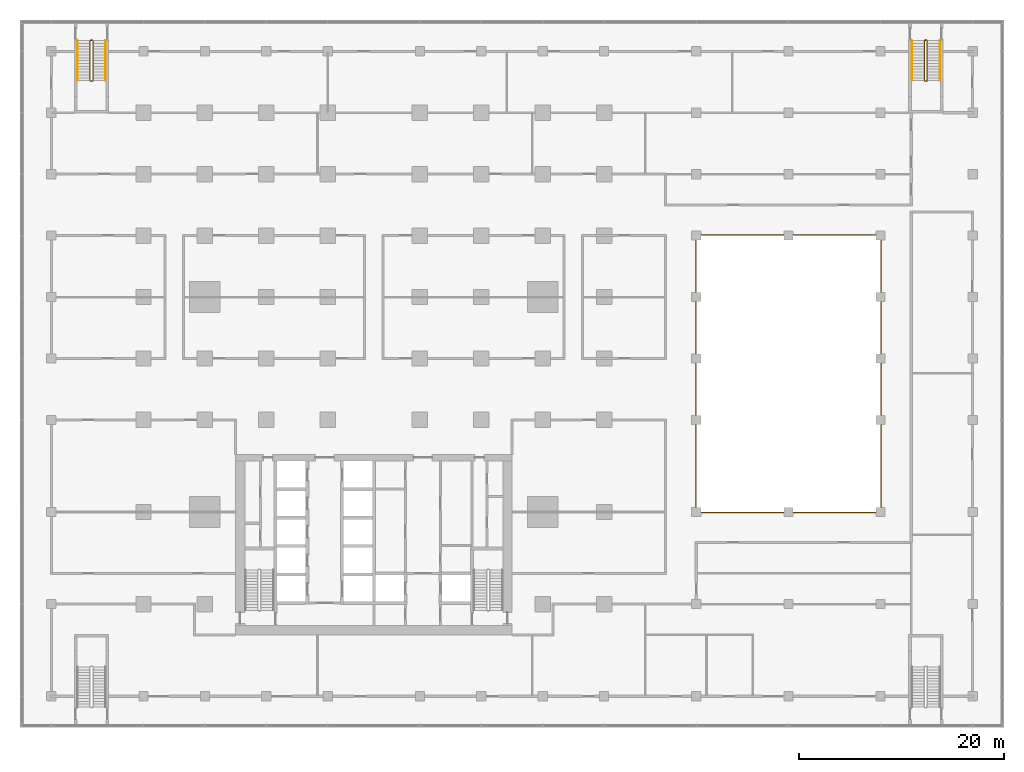
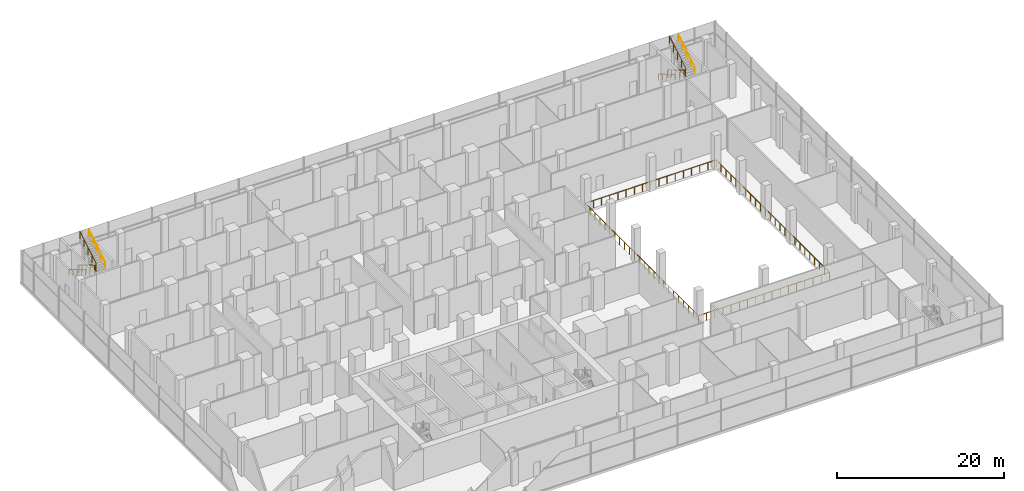
# One storey, part 22 of 22: 7 railings.
"""IFC4 building model written with IfcOpenShell, lengths in metres."""

from ifc_helpers import new_model, si_unit, direction, frame, origin, origin_2d, place, context, subcontext, project, spatial, circle, extrude, material, type_object, element, save


model = new_model("IFC4")

# Units and contexts
model_context = context("Model", 3, precision=1e-05, world=origin(), true_north=direction((0.0, 1.0)))
body_context = subcontext(model_context, "Body", "Model", "MODEL_VIEW")
ifc_project = project(units=[si_unit("LENGTHUNIT", "METRE"), si_unit("AREAUNIT", "SQUARE_METRE"), si_unit("VOLUMEUNIT", "CUBIC_METRE"), si_unit("PLANEANGLEUNIT", "RADIAN"), si_unit("MASSUNIT", "GRAM", prefix="KILO")], contexts=[model_context])

# Site, building, storey
site_placement = place(None, origin())
site = spatial("IfcSite", under=ifc_project, at=site_placement, CompositionType="ELEMENT")
building_placement = place(site_placement, origin())
building = spatial("IfcBuilding", under=site, at=building_placement, Name="Finial Court Residences", CompositionType="ELEMENT")
storey_placement = place(building_placement, frame((0.0, 0.0, 13.5)))
storey = spatial("IfcBuildingStorey", under=building, at=storey_placement, Name="L02", CompositionType="ELEMENT", Elevation=13.5)

# Railings
ifc_material_1 = material(Name="Bronze anodised aluminium", Category="aluminium")
railing_type_1 = type_object("IfcRailingType", Name="Atrium gallery guard 1100", PredefinedType="GUARDRAIL", material=ifc_material_1)
railing_1_placement = place(storey_placement, frame((31.449951171875, -13.550048828125, 0.0)))
element("IfcRailing", 1, at=railing_1_placement, inside=storey, type_object=railing_type_1, Name="L02 atrium gallery guard", PredefinedType="GUARDRAIL", context=body_context, shape_type="SweptSolid", body=[
    extrude(circle(Radius=0.02392578125, at=origin_2d()), frame((0.0, 0.0, 1.076171875), z_axis=(1.0, 0.0, 0.0), x_axis=(0.0, 1.0, 0.0)), (0.0, 0.0, 1.0), 18.10009765625),
    extrude(circle(Radius=0.02392578125, at=origin_2d()), frame((18.10009765625, 0.0, 1.076171875), z_axis=(0.0, 1.0, 0.0), x_axis=(-1.0, 0.0, 0.0)), (0.0, 0.0, 1.0), 27.10009765625),
    extrude(circle(Radius=0.02392578125, at=origin_2d()), frame((18.10009765625, 27.10009765625, 1.076171875), z_axis=(-1.0, 0.0, 0.0), x_axis=(0.0, -1.0, 0.0)), (0.0, 0.0, 1.0), 18.10009765625),
    extrude(circle(Radius=0.02392578125, at=origin_2d()), frame((0.0, 27.10009765625, 1.076171875), z_axis=(0.0, -1.0, 0.0), x_axis=(1.0, 0.0, 0.0)), (0.0, 0.0, 1.0), 27.0400390625),
    extrude(circle(Radius=0.02099609375, at=origin_2d()), origin(), (0.0, 0.0, 1.0), 1.052001953125),
    extrude(circle(Radius=0.02099609375, at=origin_2d()), frame((1.13134765625, 0.0, 0.0)), (0.0, 0.0, 1.0), 1.052001953125),
    extrude(circle(Radius=0.02099609375, at=origin_2d()), frame((2.262451171875, 0.0, 0.0)), (0.0, 0.0, 1.0), 1.052001953125),
    extrude(circle(Radius=0.02099609375, at=origin_2d()), frame((3.393798828125, 0.0, 0.0)), (0.0, 0.0, 1.0), 1.052001953125),
    extrude(circle(Radius=0.02099609375, at=origin_2d()), frame((4.52490234375, 0.0, 0.0)), (0.0, 0.0, 1.0), 1.052001953125),
    extrude(circle(Radius=0.02099609375, at=origin_2d()), frame((5.65625, 0.0, 0.0)), (0.0, 0.0, 1.0), 1.052001953125),
    extrude(circle(Radius=0.02099609375, at=origin_2d()), frame((6.78759765625, 0.0, 0.0)), (0.0, 0.0, 1.0), 1.052001953125),
    extrude(circle(Radius=0.02099609375, at=origin_2d()), frame((7.918701171875, 0.0, 0.0)), (0.0, 0.0, 1.0), 1.052001953125),
    extrude(circle(Radius=0.02099609375, at=origin_2d()), frame((9.050048828125, 0.0, 0.0)), (0.0, 0.0, 1.0), 1.052001953125),
    extrude(circle(Radius=0.02099609375, at=origin_2d()), frame((10.181396484375, 0.0, 0.0)), (0.0, 0.0, 1.0), 1.052001953125),
    extrude(circle(Radius=0.02099609375, at=origin_2d()), frame((11.3125, 0.0, 0.0)), (0.0, 0.0, 1.0), 1.052001953125),
    extrude(circle(Radius=0.02099609375, at=origin_2d()), frame((12.44384765625, 0.0, 0.0)), (0.0, 0.0, 1.0), 1.052001953125),
    extrude(circle(Radius=0.02099609375, at=origin_2d()), frame((13.5751953125, 0.0, 0.0)), (0.0, 0.0, 1.0), 1.052001953125),
    extrude(circle(Radius=0.02099609375, at=origin_2d()), frame((14.706298828125, 0.0, 0.0)), (0.0, 0.0, 1.0), 1.052001953125),
    extrude(circle(Radius=0.02099609375, at=origin_2d()), frame((15.837646484375, 0.0, 0.0)), (0.0, 0.0, 1.0), 1.052001953125),
    extrude(circle(Radius=0.02099609375, at=origin_2d()), frame((16.96875, 0.0, 0.0)), (0.0, 0.0, 1.0), 1.052001953125),
    extrude(circle(Radius=0.02099609375, at=origin_2d()), frame((18.10009765625, 0.0, 0.0)), (0.0, 0.0, 1.0), 1.052001953125),
    extrude(circle(Radius=0.02099609375, at=origin_2d()), frame((18.10009765625, 1.17822265625, 0.0)), (0.0, 0.0, 1.0), 1.052001953125),
    extrude(circle(Radius=0.02099609375, at=origin_2d()), frame((18.10009765625, 2.3564453125, 0.0)), (0.0, 0.0, 1.0), 1.052001953125),
    extrude(circle(Radius=0.02099609375, at=origin_2d()), frame((18.10009765625, 3.534912109375, 0.0)), (0.0, 0.0, 1.0), 1.052001953125),
    extrude(circle(Radius=0.02099609375, at=origin_2d()), frame((18.10009765625, 4.713134765625, 0.0)), (0.0, 0.0, 1.0), 1.052001953125),
    extrude(circle(Radius=0.02099609375, at=origin_2d()), frame((18.10009765625, 5.891357421875, 0.0)), (0.0, 0.0, 1.0), 1.052001953125),
    extrude(circle(Radius=0.02099609375, at=origin_2d()), frame((18.10009765625, 7.069580078125, 0.0)), (0.0, 0.0, 1.0), 1.052001953125),
    extrude(circle(Radius=0.02099609375, at=origin_2d()), frame((18.10009765625, 8.247802734375, 0.0)), (0.0, 0.0, 1.0), 1.052001953125),
    extrude(circle(Radius=0.02099609375, at=origin_2d()), frame((18.10009765625, 9.426025390625, 0.0)), (0.0, 0.0, 1.0), 1.052001953125),
    extrude(circle(Radius=0.02099609375, at=origin_2d()), frame((18.10009765625, 10.6044921875, 0.0)), (0.0, 0.0, 1.0), 1.052001953125),
    extrude(circle(Radius=0.02099609375, at=origin_2d()), frame((18.10009765625, 11.78271484375, 0.0)), (0.0, 0.0, 1.0), 1.052001953125),
    extrude(circle(Radius=0.02099609375, at=origin_2d()), frame((18.10009765625, 12.9609375, 0.0)), (0.0, 0.0, 1.0), 1.052001953125),
    extrude(circle(Radius=0.02099609375, at=origin_2d()), frame((18.10009765625, 14.13916015625, 0.0)), (0.0, 0.0, 1.0), 1.052001953125),
    extrude(circle(Radius=0.02099609375, at=origin_2d()), frame((18.10009765625, 15.3173828125, 0.0)), (0.0, 0.0, 1.0), 1.052001953125),
    extrude(circle(Radius=0.02099609375, at=origin_2d()), frame((18.10009765625, 16.49560546875, 0.0)), (0.0, 0.0, 1.0), 1.052001953125),
    extrude(circle(Radius=0.02099609375, at=origin_2d()), frame((18.10009765625, 17.674072265625, 0.0)), (0.0, 0.0, 1.0), 1.052001953125),
    extrude(circle(Radius=0.02099609375, at=origin_2d()), frame((18.10009765625, 18.852294921875, 0.0)), (0.0, 0.0, 1.0), 1.052001953125),
    extrude(circle(Radius=0.02099609375, at=origin_2d()), frame((18.10009765625, 20.030517578125, 0.0)), (0.0, 0.0, 1.0), 1.052001953125),
    extrude(circle(Radius=0.02099609375, at=origin_2d()), frame((18.10009765625, 21.208740234375, 0.0)), (0.0, 0.0, 1.0), 1.052001953125),
    extrude(circle(Radius=0.02099609375, at=origin_2d()), frame((18.10009765625, 22.386962890625, 0.0)), (0.0, 0.0, 1.0), 1.052001953125),
    extrude(circle(Radius=0.02099609375, at=origin_2d()), frame((18.10009765625, 23.565185546875, 0.0)), (0.0, 0.0, 1.0), 1.052001953125),
    extrude(circle(Radius=0.02099609375, at=origin_2d()), frame((18.10009765625, 24.74365234375, 0.0)), (0.0, 0.0, 1.0), 1.052001953125),
    extrude(circle(Radius=0.02099609375, at=origin_2d()), frame((18.10009765625, 25.921875, 0.0)), (0.0, 0.0, 1.0), 1.052001953125),
    extrude(circle(Radius=0.02099609375, at=origin_2d()), frame((18.10009765625, 27.10009765625, 0.0)), (0.0, 0.0, 1.0), 1.052001953125),
    extrude(circle(Radius=0.02099609375, at=origin_2d()), frame((16.96875, 27.10009765625, 0.0)), (0.0, 0.0, 1.0), 1.052001953125),
    extrude(circle(Radius=0.02099609375, at=origin_2d()), frame((15.837646484375, 27.10009765625, 0.0)), (0.0, 0.0, 1.0), 1.052001953125),
    extrude(circle(Radius=0.02099609375, at=origin_2d()), frame((14.706298828125, 27.10009765625, 0.0)), (0.0, 0.0, 1.0), 1.052001953125),
    extrude(circle(Radius=0.02099609375, at=origin_2d()), frame((13.5751953125, 27.10009765625, 0.0)), (0.0, 0.0, 1.0), 1.052001953125),
    extrude(circle(Radius=0.02099609375, at=origin_2d()), frame((12.44384765625, 27.10009765625, 0.0)), (0.0, 0.0, 1.0), 1.052001953125),
    extrude(circle(Radius=0.02099609375, at=origin_2d()), frame((11.3125, 27.10009765625, 0.0)), (0.0, 0.0, 1.0), 1.052001953125),
    extrude(circle(Radius=0.02099609375, at=origin_2d()), frame((10.181396484375, 27.10009765625, 0.0)), (0.0, 0.0, 1.0), 1.052001953125),
    extrude(circle(Radius=0.02099609375, at=origin_2d()), frame((9.050048828125, 27.10009765625, 0.0)), (0.0, 0.0, 1.0), 1.052001953125),
    extrude(circle(Radius=0.02099609375, at=origin_2d()), frame((7.918701171875, 27.10009765625, 0.0)), (0.0, 0.0, 1.0), 1.052001953125),
    extrude(circle(Radius=0.02099609375, at=origin_2d()), frame((6.78759765625, 27.10009765625, 0.0)), (0.0, 0.0, 1.0), 1.052001953125),
    extrude(circle(Radius=0.02099609375, at=origin_2d()), frame((5.65625, 27.10009765625, 0.0)), (0.0, 0.0, 1.0), 1.052001953125),
    extrude(circle(Radius=0.02099609375, at=origin_2d()), frame((4.52490234375, 27.10009765625, 0.0)), (0.0, 0.0, 1.0), 1.052001953125),
    extrude(circle(Radius=0.02099609375, at=origin_2d()), frame((3.393798828125, 27.10009765625, 0.0)), (0.0, 0.0, 1.0), 1.052001953125),
    extrude(circle(Radius=0.02099609375, at=origin_2d()), frame((2.262451171875, 27.10009765625, 0.0)), (0.0, 0.0, 1.0), 1.052001953125),
    extrude(circle(Radius=0.02099609375, at=origin_2d()), frame((1.13134765625, 27.10009765625, 0.0)), (0.0, 0.0, 1.0), 1.052001953125),
    extrude(circle(Radius=0.02099609375, at=origin_2d()), frame((0.0, 27.10009765625, 0.0)), (0.0, 0.0, 1.0), 1.052001953125),
    extrude(circle(Radius=0.02099609375, at=origin_2d()), frame((0.0, 25.924560546875, 0.0)), (0.0, 0.0, 1.0), 1.052001953125),
    extrude(circle(Radius=0.02099609375, at=origin_2d()), frame((0.0, 24.748779296875, 0.0)), (0.0, 0.0, 1.0), 1.052001953125),
    extrude(circle(Radius=0.02099609375, at=origin_2d()), frame((0.0, 23.5732421875, 0.0)), (0.0, 0.0, 1.0), 1.052001953125),
    extrude(circle(Radius=0.02099609375, at=origin_2d()), frame((0.0, 22.3974609375, 0.0)), (0.0, 0.0, 1.0), 1.052001953125),
    extrude(circle(Radius=0.02099609375, at=origin_2d()), frame((0.0, 21.221923828125, 0.0)), (0.0, 0.0, 1.0), 1.052001953125),
    extrude(circle(Radius=0.02099609375, at=origin_2d()), frame((0.0, 20.046142578125, 0.0)), (0.0, 0.0, 1.0), 1.052001953125),
    extrude(circle(Radius=0.02099609375, at=origin_2d()), frame((0.0, 18.87060546875, 0.0)), (0.0, 0.0, 1.0), 1.052001953125),
    extrude(circle(Radius=0.02099609375, at=origin_2d()), frame((0.0, 17.69482421875, 0.0)), (0.0, 0.0, 1.0), 1.052001953125),
    extrude(circle(Radius=0.02099609375, at=origin_2d()), frame((0.0, 16.519287109375, 0.0)), (0.0, 0.0, 1.0), 1.052001953125),
    extrude(circle(Radius=0.02099609375, at=origin_2d()), frame((0.0, 15.343505859375, 0.0)), (0.0, 0.0, 1.0), 1.052001953125),
    extrude(circle(Radius=0.02099609375, at=origin_2d()), frame((0.0, 14.16796875, 0.0)), (0.0, 0.0, 1.0), 1.052001953125),
    extrude(circle(Radius=0.02099609375, at=origin_2d()), frame((0.0, 12.9921875, 0.0)), (0.0, 0.0, 1.0), 1.052001953125),
    extrude(circle(Radius=0.02099609375, at=origin_2d()), frame((0.0, 11.816650390625, 0.0)), (0.0, 0.0, 1.0), 1.052001953125),
    extrude(circle(Radius=0.02099609375, at=origin_2d()), frame((0.0, 10.640869140625, 0.0)), (0.0, 0.0, 1.0), 1.052001953125),
    extrude(circle(Radius=0.02099609375, at=origin_2d()), frame((0.0, 9.46533203125, 0.0)), (0.0, 0.0, 1.0), 1.052001953125),
    extrude(circle(Radius=0.02099609375, at=origin_2d()), frame((0.0, 8.28955078125, 0.0)), (0.0, 0.0, 1.0), 1.052001953125),
    extrude(circle(Radius=0.02099609375, at=origin_2d()), frame((0.0, 7.114013671875, 0.0)), (0.0, 0.0, 1.0), 1.052001953125),
    extrude(circle(Radius=0.02099609375, at=origin_2d()), frame((0.0, 5.938232421875, 0.0)), (0.0, 0.0, 1.0), 1.052001953125),
    extrude(circle(Radius=0.02099609375, at=origin_2d()), frame((0.0, 4.7626953125, 0.0)), (0.0, 0.0, 1.0), 1.052001953125),
    extrude(circle(Radius=0.02099609375, at=origin_2d()), frame((0.0, 3.5869140625, 0.0)), (0.0, 0.0, 1.0), 1.052001953125),
    extrude(circle(Radius=0.02099609375, at=origin_2d()), frame((0.0, 2.411376953125, 0.0)), (0.0, 0.0, 1.0), 1.052001953125),
    extrude(circle(Radius=0.02099609375, at=origin_2d()), frame((0.0, 1.235595703125, 0.0)), (0.0, 0.0, 1.0), 1.052001953125),
    extrude(circle(Radius=0.02099609375, at=origin_2d()), frame((0.0, 0.06005859375, 0.0)), (0.0, 0.0, 1.0), 1.052001953125),
])
ifc_material_2 = material(Name="Stainless steel railing", Category="steel")
railing_type_2 = type_object("IfcRailingType", Name="Stair guard 1100", PredefinedType="GUARDRAIL", material=ifc_material_2)
railing_2_placement = place(storey_placement, frame((53.85009765625, 32.60009765625, 0.0)))
element("IfcRailing", 2, at=railing_2_placement, inside=storey, type_object=railing_type_2, Name="L02 ST-5 stair guard 1", PredefinedType="GUARDRAIL", context=body_context, shape_type="SweptSolid", body=[
    extrude(circle(Radius=0.02392578125, at=origin_2d()), frame((0.0, 0.0, 1.076171875), z_axis=(1.0, 0.0, 0.0), x_axis=(0.0, 1.0, 0.0)), (0.0, 0.0, 1.0), 0.14990234375),
    extrude(circle(Radius=0.02392578125, at=origin_2d()), frame((0.14990234375, 0.0, 1.076171875), z_axis=(-0.754182335027, -0.188775798145, 0.628945707965), x_axis=(0.242814311512, -0.970072785993, 0.0)), (0.0, 0.0, 1.0), 0.26513671875),
    extrude(circle(Radius=0.02392578125, at=origin_2d()), frame((-0.050048828125, -0.050048828125, 1.24267578125), z_axis=(0.0, -0.859310244771, 0.511454693235), x_axis=(1.0, 0.0, 0.0)), (0.0, 0.0, 1.0), 4.56201171875),
    extrude(circle(Radius=0.02392578125, at=origin_2d()), frame((-0.050048828125, -3.97021484375, 3.576171875), z_axis=(0.708833529934, -0.705375805398, 0.0), x_axis=(0.705375805398, 0.708833529934, 0.0)), (0.0, 0.0, 1.0), 0.070556640625),
    extrude(circle(Radius=0.02392578125, at=origin_2d()), frame((0.0, -4.02001953125, 3.576171875), z_axis=(1.0, 0.0, 0.0), x_axis=(0.0, 1.0, 0.0)), (0.0, 0.0, 1.0), 0.14990234375),
    extrude(circle(Radius=0.02392578125, at=origin_2d()), frame((0.14990234375, -4.02001953125, 3.576171875), z_axis=(0.276389281352, 0.275041040955, 0.920848191041), x_axis=(-0.705375805398, 0.708833529934, 0.0)), (0.0, 0.0, 1.0), 0.18115234375),
    extrude(circle(Radius=0.02392578125, at=origin_2d()), frame((0.199951171875, -3.97021484375, 3.74267578125), z_axis=(0.0, 0.859310244771, 0.511454693235), x_axis=(-1.0, 0.0, 0.0)), (0.0, 0.0, 1.0), 4.56201171875),
    extrude(circle(Radius=0.02099609375, at=origin_2d()), origin(), (0.0, 0.0, 1.0), 1.052001953125),
    extrude(circle(Radius=0.02099609375, at=origin_2d()), frame((0.14990234375, 0.0, 0.0)), (0.0, 0.0, 1.0), 1.052001953125),
    extrude(circle(Radius=0.02099609375, at=origin_2d()), frame((-0.050048828125, -0.050048828125, 0.166748046875)), (0.0, 0.0, 1.0), 1.052001953125),
    extrude(circle(Radius=0.02099609375, at=origin_2d()), frame((-0.050048828125, -1.030029296875, 0.75)), (0.0, 0.0, 1.0), 1.052001953125),
    extrude(circle(Radius=0.02099609375, at=origin_2d()), frame((-0.050048828125, -2.01025390625, 1.33349609375)), (0.0, 0.0, 1.0), 1.052001953125),
    extrude(circle(Radius=0.02099609375, at=origin_2d()), frame((-0.050048828125, -2.990234375, 1.916748046875)), (0.0, 0.0, 1.0), 1.052001953125),
    extrude(circle(Radius=0.02099609375, at=origin_2d()), frame((-0.050048828125, -3.97021484375, 2.5)), (0.0, 0.0, 1.0), 1.052001953125),
    extrude(circle(Radius=0.02099609375, at=origin_2d()), frame((0.0, -4.02001953125, 2.5)), (0.0, 0.0, 1.0), 1.052001953125),
    extrude(circle(Radius=0.02099609375, at=origin_2d()), frame((0.14990234375, -4.02001953125, 2.5)), (0.0, 0.0, 1.0), 1.052001953125),
    extrude(circle(Radius=0.02099609375, at=origin_2d()), frame((0.199951171875, -3.97021484375, 2.666748046875)), (0.0, 0.0, 1.0), 1.052001953125),
    extrude(circle(Radius=0.02099609375, at=origin_2d()), frame((0.199951171875, -2.990234375, 3.25)), (0.0, 0.0, 1.0), 1.052001953125),
    extrude(circle(Radius=0.02099609375, at=origin_2d()), frame((0.199951171875, -2.01025390625, 3.83349609375)), (0.0, 0.0, 1.0), 1.052001953125),
    extrude(circle(Radius=0.02099609375, at=origin_2d()), frame((0.199951171875, -1.030029296875, 4.416748046875)), (0.0, 0.0, 1.0), 1.052001953125),
    extrude(circle(Radius=0.02099609375, at=origin_2d()), frame((0.199951171875, -0.050048828125, 5.0)), (0.0, 0.0, 1.0), 1.052001953125),
])
railing_3_placement = place(storey_placement, frame((-27.64990234375, 32.60009765625, 0.0)))
element("IfcRailing", 3, at=railing_3_placement, inside=storey, type_object=railing_type_2, Name="L02 ST-6 stair guard 1", PredefinedType="GUARDRAIL", context=body_context, shape_type="SweptSolid", body=[
    extrude(circle(Radius=0.02392578125, at=origin_2d()), frame((0.0, 0.0, 1.076171875), z_axis=(1.0, 0.0, 0.0), x_axis=(0.0, 1.0, 0.0)), (0.0, 0.0, 1.0), 0.14990234375),
    extrude(circle(Radius=0.02392578125, at=origin_2d()), frame((0.14990234375, 0.0, 1.076171875), z_axis=(-0.754182335027, -0.188775798145, 0.628945707965), x_axis=(0.242814311512, -0.970072785993, 0.0)), (0.0, 0.0, 1.0), 0.26513671875),
    extrude(circle(Radius=0.02392578125, at=origin_2d()), frame((-0.050048828125, -0.050048828125, 1.24267578125), z_axis=(0.0, -0.859310244771, 0.511454693235), x_axis=(1.0, 0.0, 0.0)), (0.0, 0.0, 1.0), 4.56201171875),
    extrude(circle(Radius=0.02392578125, at=origin_2d()), frame((-0.050048828125, -3.97021484375, 3.576171875), z_axis=(0.708833529934, -0.705375805398, 0.0), x_axis=(0.705375805398, 0.708833529934, 0.0)), (0.0, 0.0, 1.0), 0.070556640625),
    extrude(circle(Radius=0.02392578125, at=origin_2d()), frame((0.0, -4.02001953125, 3.576171875), z_axis=(1.0, 0.0, 0.0), x_axis=(0.0, 1.0, 0.0)), (0.0, 0.0, 1.0), 0.14990234375),
    extrude(circle(Radius=0.02392578125, at=origin_2d()), frame((0.14990234375, -4.02001953125, 3.576171875), z_axis=(0.276389281352, 0.275041040955, 0.920848191041), x_axis=(-0.705375805398, 0.708833529934, 0.0)), (0.0, 0.0, 1.0), 0.18115234375),
    extrude(circle(Radius=0.02392578125, at=origin_2d()), frame((0.199951171875, -3.97021484375, 3.74267578125), z_axis=(0.0, 0.859310244771, 0.511454693235), x_axis=(-1.0, 0.0, 0.0)), (0.0, 0.0, 1.0), 4.56201171875),
    extrude(circle(Radius=0.02099609375, at=origin_2d()), origin(), (0.0, 0.0, 1.0), 1.052001953125),
    extrude(circle(Radius=0.02099609375, at=origin_2d()), frame((0.14990234375, 0.0, 0.0)), (0.0, 0.0, 1.0), 1.052001953125),
    extrude(circle(Radius=0.02099609375, at=origin_2d()), frame((-0.050048828125, -0.050048828125, 0.166748046875)), (0.0, 0.0, 1.0), 1.052001953125),
    extrude(circle(Radius=0.02099609375, at=origin_2d()), frame((-0.050048828125, -1.030029296875, 0.75)), (0.0, 0.0, 1.0), 1.052001953125),
    extrude(circle(Radius=0.02099609375, at=origin_2d()), frame((-0.050048828125, -2.01025390625, 1.33349609375)), (0.0, 0.0, 1.0), 1.052001953125),
    extrude(circle(Radius=0.02099609375, at=origin_2d()), frame((-0.050048828125, -2.990234375, 1.916748046875)), (0.0, 0.0, 1.0), 1.052001953125),
    extrude(circle(Radius=0.02099609375, at=origin_2d()), frame((-0.050048828125, -3.97021484375, 2.5)), (0.0, 0.0, 1.0), 1.052001953125),
    extrude(circle(Radius=0.02099609375, at=origin_2d()), frame((0.0, -4.02001953125, 2.5)), (0.0, 0.0, 1.0), 1.052001953125),
    extrude(circle(Radius=0.02099609375, at=origin_2d()), frame((0.14990234375, -4.02001953125, 2.5)), (0.0, 0.0, 1.0), 1.052001953125),
    extrude(circle(Radius=0.02099609375, at=origin_2d()), frame((0.199951171875, -3.97021484375, 2.666748046875)), (0.0, 0.0, 1.0), 1.052001953125),
    extrude(circle(Radius=0.02099609375, at=origin_2d()), frame((0.199951171875, -2.990234375, 3.25)), (0.0, 0.0, 1.0), 1.052001953125),
    extrude(circle(Radius=0.02099609375, at=origin_2d()), frame((0.199951171875, -2.01025390625, 3.83349609375)), (0.0, 0.0, 1.0), 1.052001953125),
    extrude(circle(Radius=0.02099609375, at=origin_2d()), frame((0.199951171875, -1.030029296875, 4.416748046875)), (0.0, 0.0, 1.0), 1.052001953125),
    extrude(circle(Radius=0.02099609375, at=origin_2d()), frame((0.199951171875, -0.050048828125, 5.0)), (0.0, 0.0, 1.0), 1.052001953125),
])
railing_type_3 = type_object("IfcRailingType", Name="Stair handrail 900", PredefinedType="HANDRAIL", material=ifc_material_2)
railing_4_placement = place(storey_placement, frame((52.550048828125, 32.550048828125, 0.166748046875)))
element("IfcRailing", 4, at=railing_4_placement, inside=storey, type_object=railing_type_3, Name="L02 ST-5 stair handrail 1", PredefinedType="HANDRAIL", context=body_context, shape_type="SweptSolid", body=[
    extrude(circle(Radius=0.02392578125, at=origin_2d()), frame((0.0, 0.0, 0.8759765625), z_axis=(0.0, -0.859310244771, 0.511454693235), x_axis=(1.0, 0.0, 0.0)), (0.0, 0.0, 1.0), 4.56201171875),
    extrude(circle(Radius=0.02099609375, at=origin_2d()), origin(), (0.0, 0.0, 1.0), 0.851806640625),
    extrude(circle(Radius=0.02099609375, at=origin_2d()), frame((0.0, -0.97998046875, 0.583251953125)), (0.0, 0.0, 1.0), 0.851806640625),
    extrude(circle(Radius=0.02099609375, at=origin_2d()), frame((0.0, -1.9599609375, 1.16650390625)), (0.0, 0.0, 1.0), 0.851806640625),
    extrude(circle(Radius=0.02099609375, at=origin_2d()), frame((0.0, -2.940185546875, 1.75)), (0.0, 0.0, 1.0), 0.851806640625),
    extrude(circle(Radius=0.02099609375, at=origin_2d()), frame((0.0, -3.920166015625, 2.333251953125)), (0.0, 0.0, 1.0), 0.851806640625),
])
railing_5_placement = place(storey_placement, frame((55.300048828125, 28.6298828125, 2.666748046875)))
element("IfcRailing", 5, at=railing_5_placement, inside=storey, type_object=railing_type_3, Name="L02 ST-5 stair handrail 2", PredefinedType="HANDRAIL", context=body_context, shape_type="SweptSolid", body=[
    extrude(circle(Radius=0.02392578125, at=origin_2d()), frame((0.0, 0.0, 0.8759765625), z_axis=(0.0, 0.859310244771, 0.511454693235), x_axis=(-1.0, 0.0, 0.0)), (0.0, 0.0, 1.0), 4.56201171875),
    extrude(circle(Radius=0.02099609375, at=origin_2d()), origin(), (0.0, 0.0, 1.0), 0.851806640625),
    extrude(circle(Radius=0.02099609375, at=origin_2d()), frame((0.0, 0.97998046875, 0.583251953125)), (0.0, 0.0, 1.0), 0.851806640625),
    extrude(circle(Radius=0.02099609375, at=origin_2d()), frame((0.0, 1.9599609375, 1.16650390625)), (0.0, 0.0, 1.0), 0.851806640625),
    extrude(circle(Radius=0.02099609375, at=origin_2d()), frame((0.0, 2.940185546875, 1.75)), (0.0, 0.0, 1.0), 0.851806640625),
    extrude(circle(Radius=0.02099609375, at=origin_2d()), frame((0.0, 3.920166015625, 2.333251953125)), (0.0, 0.0, 1.0), 0.851806640625),
])
railing_6_placement = place(storey_placement, frame((-28.949951171875, 32.550048828125, 0.166748046875)))
element("IfcRailing", 6, at=railing_6_placement, inside=storey, type_object=railing_type_3, Name="L02 ST-6 stair handrail 1", PredefinedType="HANDRAIL", context=body_context, shape_type="SweptSolid", body=[
    extrude(circle(Radius=0.02392578125, at=origin_2d()), frame((0.0, 0.0, 0.8759765625), z_axis=(0.0, -0.859310244771, 0.511454693235), x_axis=(1.0, 0.0, 0.0)), (0.0, 0.0, 1.0), 4.56201171875),
    extrude(circle(Radius=0.02099609375, at=origin_2d()), origin(), (0.0, 0.0, 1.0), 0.851806640625),
    extrude(circle(Radius=0.02099609375, at=origin_2d()), frame((0.0, -0.97998046875, 0.583251953125)), (0.0, 0.0, 1.0), 0.851806640625),
    extrude(circle(Radius=0.02099609375, at=origin_2d()), frame((0.0, -1.9599609375, 1.16650390625)), (0.0, 0.0, 1.0), 0.851806640625),
    extrude(circle(Radius=0.02099609375, at=origin_2d()), frame((0.0, -2.940185546875, 1.75)), (0.0, 0.0, 1.0), 0.851806640625),
    extrude(circle(Radius=0.02099609375, at=origin_2d()), frame((0.0, -3.920166015625, 2.333251953125)), (0.0, 0.0, 1.0), 0.851806640625),
])
railing_7_placement = place(storey_placement, frame((-26.199951171875, 28.6298828125, 2.666748046875)))
element("IfcRailing", 7, at=railing_7_placement, inside=storey, type_object=railing_type_3, Name="L02 ST-6 stair handrail 2", PredefinedType="HANDRAIL", context=body_context, shape_type="SweptSolid", body=[
    extrude(circle(Radius=0.02392578125, at=origin_2d()), frame((0.0, 0.0, 0.8759765625), z_axis=(0.0, 0.859310244771, 0.511454693235), x_axis=(-1.0, 0.0, 0.0)), (0.0, 0.0, 1.0), 4.56201171875),
    extrude(circle(Radius=0.02099609375, at=origin_2d()), origin(), (0.0, 0.0, 1.0), 0.851806640625),
    extrude(circle(Radius=0.02099609375, at=origin_2d()), frame((0.0, 0.97998046875, 0.583251953125)), (0.0, 0.0, 1.0), 0.851806640625),
    extrude(circle(Radius=0.02099609375, at=origin_2d()), frame((0.0, 1.9599609375, 1.16650390625)), (0.0, 0.0, 1.0), 0.851806640625),
    extrude(circle(Radius=0.02099609375, at=origin_2d()), frame((0.0, 2.940185546875, 1.75)), (0.0, 0.0, 1.0), 0.851806640625),
    extrude(circle(Radius=0.02099609375, at=origin_2d()), frame((0.0, 3.920166015625, 2.333251953125)), (0.0, 0.0, 1.0), 0.851806640625),
])

save(model, "model.ifc")
